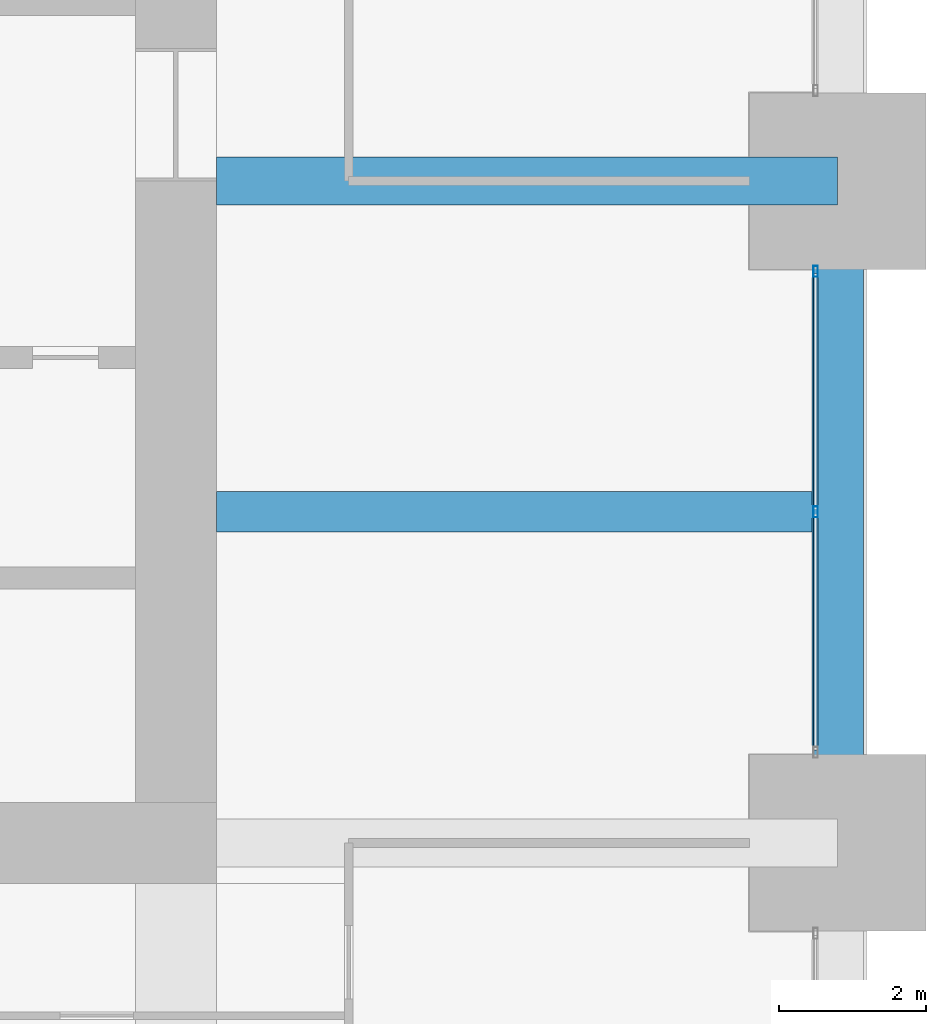
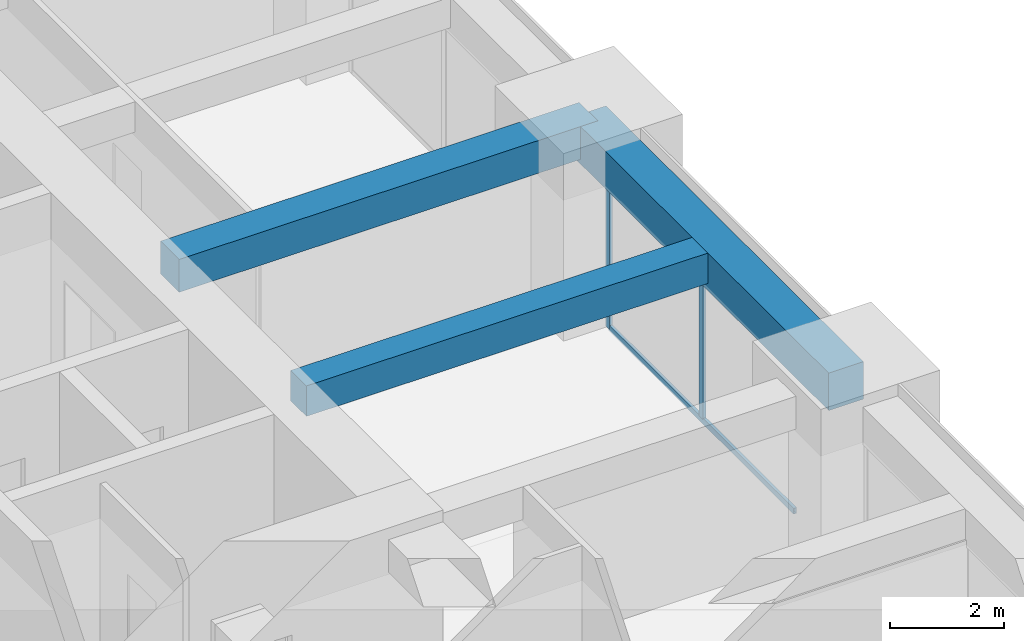
# One storey, part 18 of 32: 3 beams, 3 members, 1 element without a shape of its own.
"""IFC4 building model written with IfcOpenShell, lengths in metres."""

from ifc_helpers import new_model, si_unit, direction, frame, origin, origin_2d, place, context, subcontext, project, spatial, rectangle, hollow_rectangle, extrude, material, material_profile, profile_set, type_object, element, aggregate, save


model = new_model("IFC4")

# Units and contexts
model_context = context("Model", 3, precision=1e-05, world=origin(), true_north=direction((0.0, 1.0)))
body_context = subcontext(model_context, "Body", "Model", "MODEL_VIEW")
ifc_project = project(units=[si_unit("LENGTHUNIT", "METRE"), si_unit("AREAUNIT", "SQUARE_METRE"), si_unit("VOLUMEUNIT", "CUBIC_METRE"), si_unit("PLANEANGLEUNIT", "RADIAN"), si_unit("MASSUNIT", "GRAM", prefix="KILO")], contexts=[model_context])

# Site, building, storey
site_placement = place(None, origin())
site = spatial("IfcSite", under=ifc_project, at=site_placement, CompositionType="ELEMENT")
building_placement = place(site_placement, origin())
building = spatial("IfcBuilding", under=site, at=building_placement, Name="Zorevar Civic Tower", CompositionType="ELEMENT")
storey_placement = place(building_placement, frame((0.0, 0.0, 198.199951171875)))
storey = spatial("IfcBuildingStorey", under=building, at=storey_placement, Name="L48", CompositionType="ELEMENT", Elevation=198.199951171875)

# Beams
ifc_material_1 = material(Name="Concrete C50/60", Category="concrete")
ifc_material_profile_1 = material_profile(ifc_material_1, rectangle(XDim=0.550048828125, YDim=0.64990234375, at=origin_2d()), Name="RC 550x650")
ifc_profile_set_1 = profile_set([ifc_material_profile_1], Name="Concrete C50/60")
beam_type_1 = type_object("IfcBeamType", Name="Beam RC 550x650", PredefinedType="BEAM", material=ifc_profile_set_1)
beam_1_placement = place(storey_placement, frame((45.550048828125, 22.5, 3.425048828125), z_axis=(1.0, 0.0, 0.0), x_axis=(0.0, 1.0, 0.0)))
element("IfcBeam", 1, at=beam_1_placement, inside=storey, type_object=beam_type_1, Name="Secondary beam L49", PredefinedType="BEAM", context=body_context, shape_type="SweptSolid", body=[
    extrude(rectangle(XDim=0.550048828125, YDim=0.64990234375, at=origin_2d()), origin(), (0.0, 0.0, 1.0), 8.099853515625),
])
ifc_material_2 = material(Name="Concrete C50/60", Category="concrete")
ifc_material_profile_2 = material_profile(ifc_material_2, rectangle(XDim=0.64990234375, YDim=0.699951171875, at=origin_2d()), Name="RC 650x700")
ifc_profile_set_2 = profile_set([ifc_material_profile_2], Name="Concrete C50/60")
beam_type_2 = type_object("IfcBeamType", Name="Beam RC 650x700", PredefinedType="BEAM", material=ifc_profile_set_2)
beam_2_placement = place(storey_placement, frame((45.550048828125, 27.0, 3.400146484375), z_axis=(1.0, 0.0, 0.0), x_axis=(0.0, 1.0, 0.0)))
element("IfcBeam", 2, at=beam_2_placement, inside=storey, type_object=beam_type_2, Name="Girder L49", PredefinedType="BEAM", context=body_context, shape_type="SweptSolid", body=[
    extrude(rectangle(XDim=0.64990234375, YDim=0.699951171875, at=origin_2d()), origin(), (0.0, 0.0, 1.0), 8.449951171875),
])

# Curtain wall, members
ifc_material_3 = material(Name="Dark grey solar-control glass in black aluminium frame", Category="aluminium")
curtain_wall_type = type_object("IfcCurtainWallType", Name="Curtain wall CW4 high zone", PredefinedType="NOTDEFINED", material=ifc_material_3)
curtain_wall_placement = place(storey_placement, origin())
curtain_wall = element("IfcCurtainWall", 3, at=curtain_wall_placement, inside=storey, type_object=curtain_wall_type, Name="CW4 L48", PredefinedType="NOTDEFINED")
ifc_material_4 = material(Name="Aluminium, black anodised", Category="aluminium")
ifc_material_profile_3 = material_profile(ifc_material_4, hollow_rectangle(XDim=0.06005859375, YDim=0.14990234375, WallThickness=0.00390625, at=origin_2d()), Name="AL 150x60x4")
ifc_profile_set_3 = profile_set([ifc_material_profile_3], Name="Aluminium, black anodised")
member_type_1 = type_object("IfcMemberType", Name="CW4 mullion AL 150x60x4", PredefinedType="MULLION", material=ifc_profile_set_3)
member_1_placement = place(storey_placement, frame((53.699951171875, 22.5, 0.06005859375), z_axis=(0.0, 0.0, 1.0), x_axis=(-1.0, 0.0, 0.0)))
member_1 = element("IfcMember", 4, at=member_1_placement, type_object=member_type_1, Name="CW4 mullion 2", PredefinedType="MULLION", context=body_context, shape_type="SweptSolid", body=[
    extrude(hollow_rectangle(XDim=0.06005859375, YDim=0.14990234375, WallThickness=0.00390625, at=origin_2d()), origin(), (0.0, 0.0, 1.0), 2.889892578125),
])
member_2_placement = place(storey_placement, frame((53.699951171875, 25.77001953125, 0.0), z_axis=(0.0, 0.0, 1.0), x_axis=(-1.0, 0.0, 0.0)))
member_2 = element("IfcMember", 5, at=member_2_placement, type_object=member_type_1, Name="CW4 mullion 3", PredefinedType="MULLION", context=body_context, shape_type="SweptSolid", body=[
    extrude(hollow_rectangle(XDim=0.06005859375, YDim=0.14990234375, WallThickness=0.00390625, at=origin_2d()), origin(), (0.0, 0.0, 1.0), 2.949951171875),
])
ifc_material_5 = material(Name="Aluminium, black anodised", Category="aluminium")
ifc_material_profile_4 = material_profile(ifc_material_5, hollow_rectangle(XDim=0.06005859375, YDim=0.1201171875, WallThickness=0.0029296875, at=origin_2d()), Name="AL 120x60x3")
ifc_profile_set_4 = profile_set([ifc_material_profile_4], Name="Aluminium, black anodised")
member_type_2 = type_object("IfcMemberType", Name="CW4 transom AL 120x60x3", PredefinedType="USERDEFINED", material=ifc_profile_set_4)
member_3_placement = place(storey_placement, frame((53.699951171875, 19.260009765625, 0.030029296875), z_axis=(0.0, 1.0, 0.0), x_axis=(-1.0, 0.0, 0.0)))
member_3 = element("IfcMember", 6, at=member_3_placement, type_object=member_type_2, Name="CW4 sill transom", ObjectType="TRANSOM", PredefinedType="USERDEFINED", context=body_context, shape_type="SweptSolid", body=[
    extrude(hollow_rectangle(XDim=0.06005859375, YDim=0.1201171875, WallThickness=0.0029296875, at=origin_2d()), origin(), (0.0, 0.0, 1.0), 6.47998046875),
])
aggregate(curtain_wall, [member_1, member_2, member_3])

# Beam
ifc_material_6 = material(Name="Concrete C50/60", Category="concrete")
ifc_material_profile_5 = material_profile(ifc_material_6, rectangle(XDim=0.699951171875, YDim=0.800048828125, at=origin_2d()), Name="RC 700x800")
ifc_profile_set_5 = profile_set([ifc_material_profile_5], Name="Concrete C50/60")
beam_type_3 = type_object("IfcBeamType", Name="Edge beam RC 700x800", PredefinedType="SPANDREL", material=ifc_profile_set_5)
beam_3_placement = place(storey_placement, frame((54.0, 18.0, 3.35009765625), z_axis=(0.0, 1.0, 0.0), x_axis=(-1.0, 0.0, 0.0)))
element("IfcBeam", 7, at=beam_3_placement, inside=storey, type_object=beam_type_3, Name="Edge beam L49", PredefinedType="SPANDREL", context=body_context, shape_type="SweptSolid", body=[
    extrude(rectangle(XDim=0.699951171875, YDim=0.800048828125, at=origin_2d()), origin(), (0.0, 0.0, 1.0), 9.0),
])

save(model, "model.ifc")
